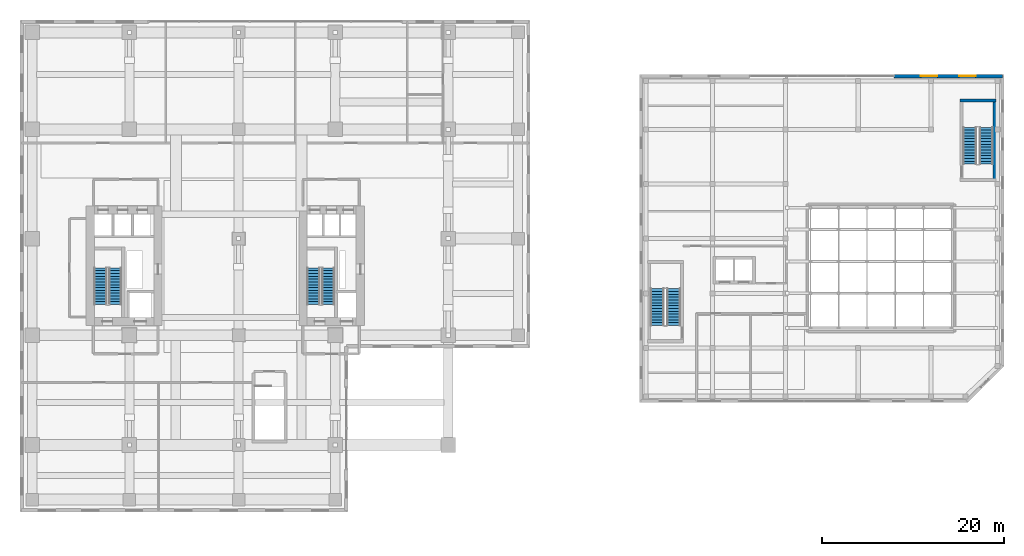
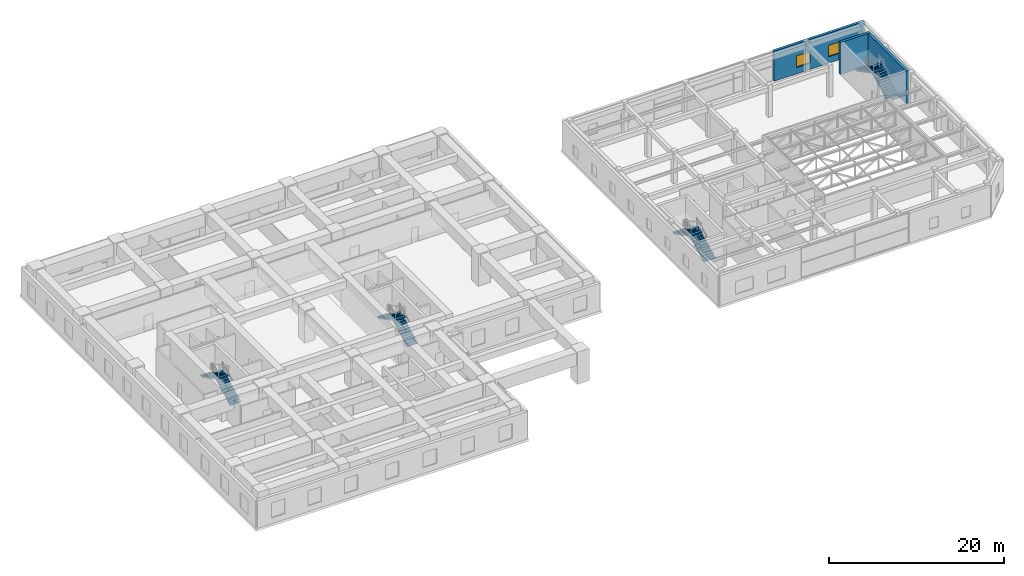
# One storey, part 29 of 33: 8 stair flights, 3 walls, 2 windows, 2 openings, 4 elements without a shape of their own.
"""IFC4 building model written with IfcOpenShell, lengths in metres."""

from ifc_helpers import new_model, si_unit, direction, frame, frame_2d, origin, place, context, subcontext, project, spatial, polyline, rectangle, outline, extrude, source, transform, mapped, material, layer, layer_set, type_object, element, fill, aggregate, save


model = new_model("IFC4")

# Units and contexts
model_context = context("Model", 3, precision=1e-05, world=origin(), true_north=direction((0.0, 1.0)))
body_context = subcontext(model_context, "Body", "Model", "MODEL_VIEW")
ifc_project = project(units=[si_unit("LENGTHUNIT", "METRE"), si_unit("AREAUNIT", "SQUARE_METRE"), si_unit("VOLUMEUNIT", "CUBIC_METRE"), si_unit("PLANEANGLEUNIT", "RADIAN"), si_unit("MASSUNIT", "GRAM", prefix="KILO")], contexts=[model_context])

# Site, building, storey
site_placement = place(None, origin())
site = spatial("IfcSite", under=ifc_project, at=site_placement, CompositionType="ELEMENT")
building_placement = place(site_placement, origin())
building = spatial("IfcBuilding", under=site, at=building_placement, Name="Khoralis Quay Care Tower", CompositionType="ELEMENT")
storey_placement = place(building_placement, frame((0.0, 0.0, 18.0)))
storey = spatial("IfcBuildingStorey", under=building, at=storey_placement, Name="L04", CompositionType="ELEMENT", Elevation=18.0)

# Wall, openings, windows
ifc_material_1 = material(Name="Precast concrete C40/50", Category="concrete")
ifc_layer_1 = layer(ifc_material_1, 0.340087890625)
ifc_layer_set_1 = layer_set([ifc_layer_1], Name="Precast concrete C40/50")
wall_type_1 = type_object("IfcWallType", Name="WL-EXT-SCH-340", PredefinedType="SOLIDWALL", material=ifc_layer_set_1)
wall_1_placement = place(storey_placement, frame((107.830078125, 41.830078125, 0.0), z_axis=(0.0, 0.0, 1.0), x_axis=(-1.0, 0.0, 0.0)))
wall_1 = element("IfcWall", 1, at=wall_1_placement, inside=storey, type_object=wall_type_1, Name="L04 External Facade Wall WL-SCH-L04-E3A", PredefinedType="SOLIDWALL", context=body_context, shape_type="SweptSolid", body=[
    extrude(rectangle(XDim=11.898193359375, YDim=0.340087890625, at=frame_2d((5.94921875, 0.0))), origin(), (0.0, 0.0, 1.0), 4.199951171875),
])
opening_1_placement = place(wall_1_placement, frame((2.948974609375, 0.0, 0.89990234375)))
opening_1 = element("IfcOpeningElement", 2, at=opening_1_placement, cuts=wall_1, Name="Opening W5", PredefinedType="OPENING", context=body_context, shape_type="SweptSolid", body=[
    extrude(rectangle(XDim=1.800048828125, YDim=1.60009765625, at=frame_2d((0.89990234375, 0.800048828125))), frame((0.0, 0.18017578125, 0.0), z_axis=(0.0, -1.0, 0.0), x_axis=(1.0, 0.0, 0.0)), (0.0, 0.0, 1.0), 0.360107421875),
])
opening_2_placement = place(wall_1_placement, frame((7.14892578125, 0.0, 0.89990234375)))
opening_2 = element("IfcOpeningElement", 3, at=opening_2_placement, cuts=wall_1, Name="Opening W5", PredefinedType="OPENING", context=body_context, shape_type="SweptSolid", body=[
    extrude(rectangle(XDim=1.800048828125, YDim=1.60009765625, at=frame_2d((0.89990234375, 0.800048828125))), frame((0.0, 0.18017578125, 0.0), z_axis=(0.0, -1.0, 0.0), x_axis=(1.0, 0.0, 0.0)), (0.0, 0.0, 1.0), 0.360107421875),
])
ifc_material_2 = material(Name="Low-E solar-control double glazing", Category="glass")
window_type = type_object("IfcWindowType", Name="WN-SCH-1800X1600", PartitioningType="SINGLE_PANEL", PredefinedType="WINDOW", material=ifc_material_2)
shared_shape_1 = source(origin(), body_context, "Body", "SweptSolid", [
    extrude(rectangle(XDim=1.800048828125, YDim=1.60009765625, at=frame_2d((0.89990234375, 0.800048828125))), frame((0.0, 0.030029296875, 0.0), z_axis=(0.0, -1.0, 0.0), x_axis=(1.0, 0.0, 0.0)), (0.0, 0.0, 1.0), 0.06005859375),
])
window_1_placement = place(opening_1_placement, origin())
window_1 = element("IfcWindow", 4, at=window_1_placement, inside=storey, type_object=window_type, Name="WN-SCH-L04-3A Classroom Window 01", OverallHeight=1.60009765625, OverallWidth=1.800048828125, PartitioningType="SINGLE_PANEL", PredefinedType="WINDOW", context=body_context, shape_type="MappedRepresentation", body=[
    mapped(shared_shape_1, transform((0.0, 0.0, 0.0), scale=1.0)),
])
fill(opening_1, window_1)
window_2_placement = place(opening_2_placement, origin())
window_2 = element("IfcWindow", 5, at=window_2_placement, inside=storey, type_object=window_type, Name="WN-SCH-L04-3A Classroom Window 02", OverallHeight=1.60009765625, OverallWidth=1.800048828125, PartitioningType="SINGLE_PANEL", PredefinedType="WINDOW", context=body_context, shape_type="MappedRepresentation", body=[
    mapped(shared_shape_1, transform((0.0, 0.0, 0.0), scale=1.0)),
])
fill(opening_2, window_2)

# Walls
ifc_material_3 = material(Name="Concrete C40/50", Category="concrete")
ifc_layer_2 = layer(ifc_material_3, 0.35009765625)
ifc_layer_set_2 = layer_set([ifc_layer_2], Name="Concrete C40/50")
wall_type_2 = type_object("IfcWallType", Name="WL-SC-CORE-350", PredefinedType="SHEAR", material=ifc_layer_set_2)
wall_2_placement = place(storey_placement, frame((103.169921875, 39.155029296875, 0.0), z_axis=(0.0, 0.0, 1.0), x_axis=(1.0, 0.0, 0.0)))
element("IfcWall", 6, at=wall_2_placement, inside=storey, type_object=wall_type_2, Name="L04 School Stair ST-S2 North Shear Wall", PredefinedType="SHEAR", context=body_context, shape_type="SweptSolid", body=[
    extrude(rectangle(XDim=3.9599609375, YDim=0.35009765625, at=frame_2d((1.97998046875, 0.0))), origin(), (0.0, 0.0, 1.0), 4.5),
])
wall_3_placement = place(storey_placement, frame((106.955078125, 30.27001953125, 0.0), z_axis=(0.0, 0.0, 1.0), x_axis=(0.0, 1.0, 0.0)))
element("IfcWall", 7, at=wall_3_placement, inside=storey, type_object=wall_type_2, Name="L04 School Stair ST-S2 East Shear Wall", PredefinedType="SHEAR", context=body_context, shape_type="SweptSolid", body=[
    extrude(rectangle(XDim=9.06005859375, YDim=0.35009765625, at=frame_2d((4.530029296875, 0.0))), origin(), (0.0, 0.0, 1.0), 4.5),
])

# Stair, stair flights
ifc_material_4 = material(Name="Precast concrete C45/55", Category="concrete")
stair_type_1 = type_object("IfcStairType", Name="ST-TWR-DOGLEG-1400", PredefinedType="HALF_TURN_STAIR", material=ifc_material_4)
stair_1_placement = place(storey_placement, origin())
stair_1 = element("IfcStair", 8, at=stair_1_placement, inside=storey, type_object=stair_type_1, Name="L04 West Core Exit Stair ST-T1", PredefinedType="HALF_TURN_STAIR")
stair_flight_type_1 = type_object("IfcStairFlightType", Name="SF-TWR-1400", PredefinedType="STRAIGHT", material=ifc_material_4)
shared_shape_2 = source(origin(), body_context, "Body", "SweptSolid", [
    extrude(outline(polyline([(0.0, 0.0), (0.0, 0.16064453125), (0.31005859375, 0.16064453125), (0.31005859375, 0.321533203125), (0.6201171875, 0.321533203125), (0.6201171875, 0.482177734375), (0.929931640625, 0.482177734375), (0.929931640625, 0.642822265625), (1.239990234375, 0.642822265625), (1.239990234375, 0.803466796875), (1.550048828125, 0.803466796875), (1.550048828125, 0.96435546875), (1.860107421875, 0.96435546875), (1.860107421875, 1.125), (2.169921875, 1.125), (2.169921875, 1.28564453125), (2.47998046875, 1.28564453125), (2.47998046875, 1.446533203125), (2.7900390625, 1.446533203125), (2.7900390625, 1.607177734375), (3.10009765625, 1.607177734375), (3.10009765625, 1.767822265625), (3.409912109375, 1.767822265625), (3.409912109375, 1.928466796875), (3.719970703125, 1.928466796875), (3.719970703125, 2.08935546875), (4.030029296875, 2.08935546875), (4.030029296875, 2.25), (4.030029296875, 1.92041015625), (0.32568359375, 0.0), (0.0, 0.0)])), frame((0.0, 0.68994140625, 0.0), z_axis=(0.0, -1.0, 0.0), x_axis=(1.0, 0.0, 0.0)), (0.0, 0.0, 1.0), 1.3798828125),
])
stair_flight_1_placement = place(storey_placement, frame((10.4599609375, 16.77001953125, 0.0), z_axis=(0.0, 0.0, 1.0), x_axis=(0.0, 1.0, 0.0)))
stair_flight_1 = element("IfcStairFlight", 9, at=stair_flight_1_placement, type_object=stair_flight_type_1, Name="ST-T1 flight 1", NumberOfRisers=14, NumberOfTreads=13, PredefinedType="STRAIGHT", RiserHeight=0.160714286, TreadLength=0.31, context=body_context, shape_type="MappedRepresentation", body=[
    mapped(shared_shape_2, transform((0.0, 0.0, 0.0), scale=1.0)),
])
stair_flight_2_placement = place(storey_placement, frame((8.840087890625, 20.800048828125, 2.25), z_axis=(0.0, 0.0, 1.0), x_axis=(0.0, -1.0, 0.0)))
stair_flight_2 = element("IfcStairFlight", 10, at=stair_flight_2_placement, type_object=stair_flight_type_1, Name="ST-T1 flight 2", NumberOfRisers=14, NumberOfTreads=13, PredefinedType="STRAIGHT", RiserHeight=0.160714286, TreadLength=0.31, context=body_context, shape_type="MappedRepresentation", body=[
    mapped(shared_shape_2, transform((0.0, 0.0, 0.0), scale=1.0)),
])
aggregate(stair_1, [stair_flight_1, stair_flight_2])

stair_2_placement = place(storey_placement, origin())
stair_2 = element("IfcStair", 11, at=stair_2_placement, inside=storey, type_object=stair_type_1, Name="L04 East Core Exit Stair ST-T2", PredefinedType="HALF_TURN_STAIR")
stair_flight_3_placement = place(storey_placement, frame((33.830078125, 16.77001953125, 0.0), z_axis=(0.0, 0.0, 1.0), x_axis=(0.0, 1.0, 0.0)))
stair_flight_3 = element("IfcStairFlight", 12, at=stair_flight_3_placement, type_object=stair_flight_type_1, Name="ST-T2 flight 1", NumberOfRisers=14, NumberOfTreads=13, PredefinedType="STRAIGHT", RiserHeight=0.160714286, TreadLength=0.31, context=body_context, shape_type="MappedRepresentation", body=[
    mapped(shared_shape_2, transform((0.0, 0.0, 0.0), scale=1.0)),
])
stair_flight_4_placement = place(storey_placement, frame((32.2099609375, 20.800048828125, 2.25), z_axis=(0.0, 0.0, 1.0), x_axis=(0.0, -1.0, 0.0)))
stair_flight_4 = element("IfcStairFlight", 13, at=stair_flight_4_placement, type_object=stair_flight_type_1, Name="ST-T2 flight 2", NumberOfRisers=14, NumberOfTreads=13, PredefinedType="STRAIGHT", RiserHeight=0.160714286, TreadLength=0.31, context=body_context, shape_type="MappedRepresentation", body=[
    mapped(shared_shape_2, transform((0.0, 0.0, 0.0), scale=1.0)),
])
aggregate(stair_2, [stair_flight_3, stair_flight_4])

stair_type_2 = type_object("IfcStairType", Name="ST-SCH-DOGLEG-1550", PredefinedType="HALF_TURN_STAIR", material=ifc_material_4)
stair_3_placement = place(storey_placement, origin())
stair_3 = element("IfcStair", 14, at=stair_3_placement, inside=storey, type_object=stair_type_2, Name="L04 Companion School West Exit Stair ST-S1", PredefinedType="HALF_TURN_STAIR")
stair_flight_type_2 = type_object("IfcStairFlightType", Name="SF-SCH-1550", PredefinedType="STRAIGHT", material=ifc_material_4)
shared_shape_3 = source(origin(), body_context, "Body", "SweptSolid", [
    extrude(outline(polyline([(0.0, 0.0), (0.0, 0.16064453125), (0.31005859375, 0.16064453125), (0.31005859375, 0.321533203125), (0.6201171875, 0.321533203125), (0.6201171875, 0.482177734375), (0.929931640625, 0.482177734375), (0.929931640625, 0.642822265625), (1.239990234375, 0.642822265625), (1.239990234375, 0.803466796875), (1.550048828125, 0.803466796875), (1.550048828125, 0.96435546875), (1.860107421875, 0.96435546875), (1.860107421875, 1.125), (2.169921875, 1.125), (2.169921875, 1.28564453125), (2.47998046875, 1.28564453125), (2.47998046875, 1.446533203125), (2.7900390625, 1.446533203125), (2.7900390625, 1.607177734375), (3.10009765625, 1.607177734375), (3.10009765625, 1.767822265625), (3.409912109375, 1.767822265625), (3.409912109375, 1.928466796875), (3.719970703125, 1.928466796875), (3.719970703125, 2.08935546875), (4.030029296875, 2.08935546875), (4.030029296875, 2.25), (4.030029296875, 1.92041015625), (0.32568359375, 0.0), (0.0, 0.0)])), frame((0.0, 0.75, 0.0), z_axis=(0.0, -1.0, 0.0), x_axis=(1.0, 0.0, 0.0)), (0.0, 0.0, 1.0), 1.5),
])
stair_flight_5_placement = place(storey_placement, frame((71.75, 14.47998046875, 0.0), z_axis=(0.0, 0.0, 1.0), x_axis=(0.0, 1.0, 0.0)))
stair_flight_5 = element("IfcStairFlight", 15, at=stair_flight_5_placement, type_object=stair_flight_type_2, Name="ST-S1 flight 1", NumberOfRisers=14, NumberOfTreads=13, PredefinedType="STRAIGHT", RiserHeight=0.160714286, TreadLength=0.31, context=body_context, shape_type="MappedRepresentation", body=[
    mapped(shared_shape_3, transform((0.0, 0.0, 0.0), scale=1.0)),
])
stair_flight_6_placement = place(storey_placement, frame((69.949951171875, 18.510009765625, 2.25), z_axis=(0.0, 0.0, 1.0), x_axis=(0.0, -1.0, 0.0)))
stair_flight_6 = element("IfcStairFlight", 16, at=stair_flight_6_placement, type_object=stair_flight_type_2, Name="ST-S1 flight 2", NumberOfRisers=14, NumberOfTreads=13, PredefinedType="STRAIGHT", RiserHeight=0.160714286, TreadLength=0.31, context=body_context, shape_type="MappedRepresentation", body=[
    mapped(shared_shape_3, transform((0.0, 0.0, 0.0), scale=1.0)),
])
aggregate(stair_3, [stair_flight_5, stair_flight_6])

stair_4_placement = place(storey_placement, origin())
stair_4 = element("IfcStair", 17, at=stair_4_placement, inside=storey, type_object=stair_type_2, Name="L04 Companion School East Exit Stair ST-S2", PredefinedType="HALF_TURN_STAIR")
stair_flight_7_placement = place(storey_placement, frame((106.050048828125, 32.179931640625, 0.0), z_axis=(0.0, 0.0, 1.0), x_axis=(0.0, 1.0, 0.0)))
stair_flight_7 = element("IfcStairFlight", 18, at=stair_flight_7_placement, type_object=stair_flight_type_2, Name="ST-S2 flight 1", NumberOfRisers=14, NumberOfTreads=13, PredefinedType="STRAIGHT", RiserHeight=0.160714286, TreadLength=0.31, context=body_context, shape_type="MappedRepresentation", body=[
    mapped(shared_shape_3, transform((0.0, 0.0, 0.0), scale=1.0)),
])
stair_flight_8_placement = place(storey_placement, frame((104.25, 36.2099609375, 2.25), z_axis=(0.0, 0.0, 1.0), x_axis=(0.0, -1.0, 0.0)))
stair_flight_8 = element("IfcStairFlight", 19, at=stair_flight_8_placement, type_object=stair_flight_type_2, Name="ST-S2 flight 2", NumberOfRisers=14, NumberOfTreads=13, PredefinedType="STRAIGHT", RiserHeight=0.160714286, TreadLength=0.31, context=body_context, shape_type="MappedRepresentation", body=[
    mapped(shared_shape_3, transform((0.0, 0.0, 0.0), scale=1.0)),
])
aggregate(stair_4, [stair_flight_7, stair_flight_8])

save(model, "model.ifc")
